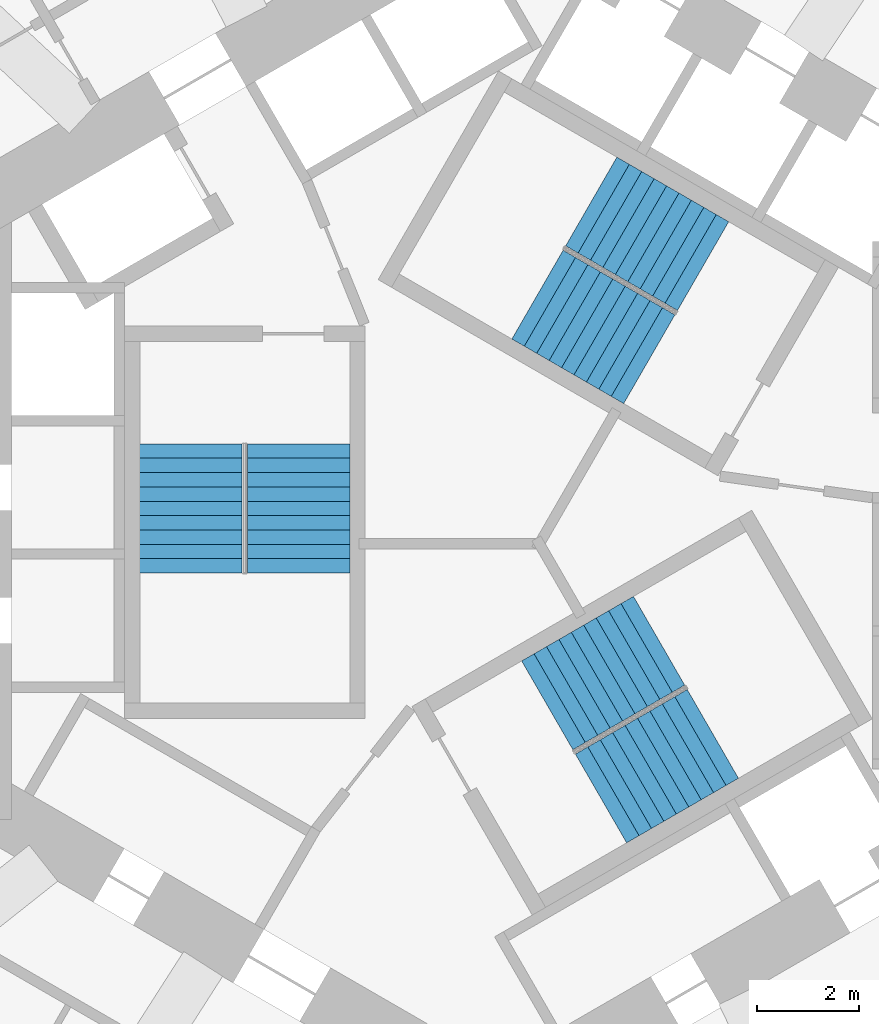
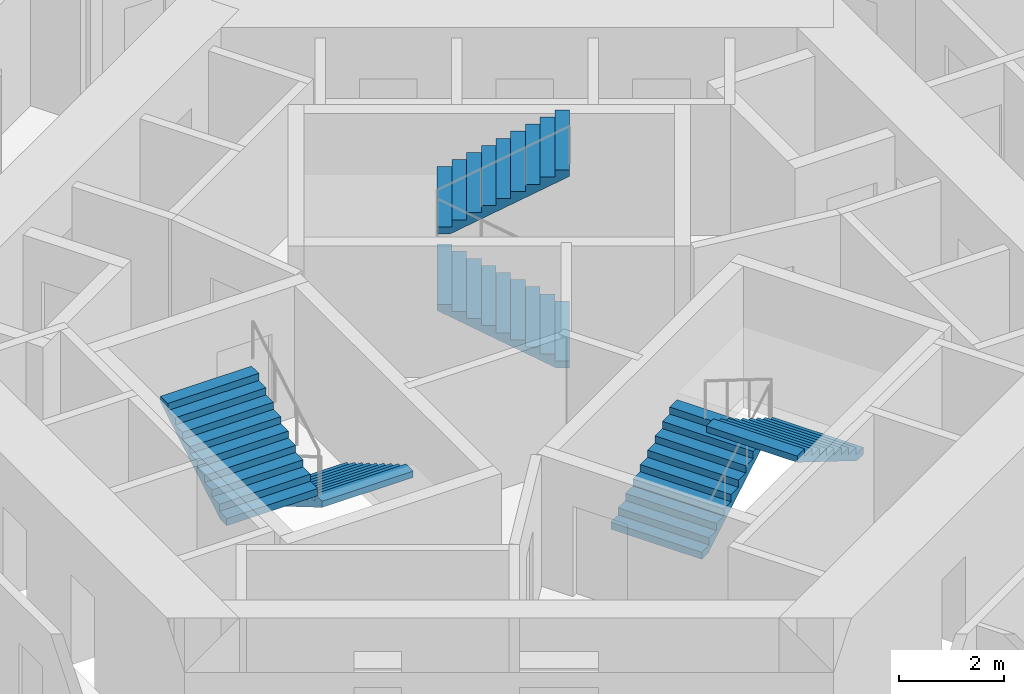
# One storey, part 10 of 12: 6 stair flights, 3 elements without a shape of their own.
"""IFC4 building model written with IfcOpenShell, lengths in metres."""

from ifc_helpers import new_model, si_unit, direction, frame, origin, place, context, subcontext, project, spatial, triangles, source, transform, mapped, material, type_object, element, aggregate, save


model = new_model("IFC4")

# Units and contexts
model_context = context("Model", 3, precision=1e-05, world=origin(), true_north=direction((0.0, 1.0)))
body_context = subcontext(model_context, "Body", "Model", "MODEL_VIEW")
ifc_project = project(units=[si_unit("LENGTHUNIT", "METRE"), si_unit("AREAUNIT", "SQUARE_METRE"), si_unit("VOLUMEUNIT", "CUBIC_METRE"), si_unit("PLANEANGLEUNIT", "RADIAN"), si_unit("MASSUNIT", "GRAM", prefix="KILO")], contexts=[model_context])

# Site, building, storey
site_placement = place(None, origin())
site = spatial("IfcSite", under=ifc_project, at=site_placement, CompositionType="ELEMENT")
building_placement = place(site_placement, origin())
building = spatial("IfcBuilding", under=site, at=building_placement, Name="Vanh Sen Convention Tower", CompositionType="ELEMENT")
storey_placement = place(building_placement, frame((0.0, 0.0, 63.800048828125)))
storey = spatial("IfcBuildingStorey", under=building, at=storey_placement, Name="L13", CompositionType="ELEMENT", Elevation=63.800048828125)

# Stair, stair flights
ifc_material_1 = material(Name="Concrete C50/60", Category="concrete")
stair_type_1 = type_object("IfcStairType", Name="Exit stair ST1 20 risers at 165.0", PredefinedType="HALF_TURN_STAIR", material=ifc_material_1)
stair_1_placement = place(storey_placement, origin())
stair_1 = element("IfcStair", 1, at=stair_1_placement, inside=storey, type_object=stair_type_1, Name="Exit stair ST1 L13", PredefinedType="HALF_TURN_STAIR")
ifc_material_2 = material(Name="Concrete C40/50", Category="concrete")
stair_flight_type = type_object("IfcStairFlightType", Name="Stair flight 2000", PredefinedType="STRAIGHT", material=ifc_material_2)
shared_shape = source(origin(), body_context, "Body", "Tessellation", [
    triangles([(0.24609375, 1.0, 0.0), (0.0, 1.0, 0.0), (0.0, 1.0, 0.1650390625), (0.280029296875, 1.0, 0.1650390625), (0.280029296875, 1.0, 0.330078125), (0.56005859375, 1.0, 0.330078125), (0.56005859375, 1.0, 0.4951171875), (0.840087890625, 1.0, 0.4951171875), (0.840087890625, 1.0, 0.659912109375), (1.1201171875, 1.0, 0.659912109375), (1.1201171875, 1.0, 0.824951171875), (1.39990234375, 1.0, 0.824951171875), (1.39990234375, 1.0, 0.989990234375), (1.679931640625, 1.0, 0.989990234375), (1.679931640625, 1.0, 1.155029296875), (1.9599609375, 1.0, 1.155029296875), (1.9599609375, 1.0, 1.320068359375), (2.239990234375, 1.0, 1.320068359375), (2.239990234375, 1.0, 1.485107421875), (2.52001953125, 1.0, 1.485107421875), (2.52001953125, 1.0, 1.33984375), (0.24609375, -1.0, 0.0), (0.0, -1.0, 0.0), (0.0, -1.0, 0.1650390625), (0.280029296875, -1.0, 0.1650390625), (0.280029296875, -1.0, 0.330078125), (0.56005859375, -1.0, 0.330078125), (0.56005859375, -1.0, 0.4951171875), (0.840087890625, -1.0, 0.4951171875), (0.840087890625, -1.0, 0.659912109375), (1.1201171875, -1.0, 0.659912109375), (1.1201171875, -1.0, 0.824951171875), (1.39990234375, -1.0, 0.824951171875), (1.39990234375, -1.0, 0.989990234375), (1.679931640625, -1.0, 0.989990234375), (1.679931640625, -1.0, 1.155029296875), (1.9599609375, -1.0, 1.155029296875), (1.9599609375, -1.0, 1.320068359375), (2.239990234375, -1.0, 1.320068359375), (2.239990234375, -1.0, 1.485107421875), (2.52001953125, -1.0, 1.485107421875), (2.52001953125, -1.0, 1.33984375), (0.0, 0.0400390625, 0.0), (0.0, 0.0390625, 0.0), (0.0, 0.0380859375, 0.0), (0.0, 0.037109375, 0.0), (0.0, 0.035888671875, 0.0), (0.0, 0.034912109375, 0.0), (0.0, 0.033935546875, 0.0), (0.0, 0.032958984375, 0.0), (0.0, 0.031982421875, 0.0), (0.0, 0.031005859375, 0.0), (0.0, 0.030029296875, 0.0), (0.0, 0.029052734375, 0.0), (0.0, 0.028076171875, 0.0), (0.0, 0.027099609375, 0.0), (0.0, 0.02587890625, 0.0), (0.0, 0.02490234375, 0.0), (0.0, 0.02392578125, 0.0), (0.0, 0.02294921875, 0.0), (0.0, 0.02197265625, 0.0), (0.0, 0.02099609375, 0.0), (0.0, 0.02001953125, 0.0), (0.0, 0.01904296875, 0.0), (0.0, 0.01806640625, 0.0), (0.0, 0.01708984375, 0.0), (0.0, 0.01611328125, 0.0), (0.0, 0.014892578125, 0.0), (0.0, 0.013916015625, 0.0), (0.0, 0.012939453125, 0.0), (0.0, 0.011962890625, 0.0), (0.0, 0.010986328125, 0.0), (0.0, 0.010009765625, 0.0), (0.0, 0.009033203125, 0.0), (0.0, 0.008056640625, 0.0), (0.0, 0.007080078125, 0.0), (0.0, 0.006103515625, 0.0), (0.0, 0.0048828125, 0.0), (0.0, 0.00390625, 0.0), (0.0, 0.0029296875, 0.0), (0.0, 0.001953125, 0.0), (0.0, 0.0009765625, 0.0), (0.0, 0.0, 0.0), (0.0, -0.0009765625, 0.0), (0.0, -0.001953125, 0.0), (0.0, -0.0029296875, 0.0), (0.0, -0.00390625, 0.0), (0.0, -0.0048828125, 0.0), (0.0, -0.006103515625, 0.0), (0.0, -0.007080078125, 0.0), (0.0, -0.008056640625, 0.0), (0.0, -0.009033203125, 0.0), (0.0, -0.010009765625, 0.0), (0.0, -0.010986328125, 0.0), (0.0, -0.011962890625, 0.0), (0.0, -0.012939453125, 0.0), (0.0, -0.013916015625, 0.0), (0.0, -0.014892578125, 0.0), (0.0, -0.01611328125, 0.0), (0.0, -0.01708984375, 0.0), (0.0, -0.01806640625, 0.0), (0.0, -0.01904296875, 0.0), (0.0, -0.02001953125, 0.0), (0.0, -0.02099609375, 0.0), (0.0, -0.02197265625, 0.0), (0.0, -0.02294921875, 0.0), (0.0, -0.02392578125, 0.0), (0.0, -0.02490234375, 0.0), (0.0, -0.02587890625, 0.0), (0.0, -0.027099609375, 0.0), (0.0, -0.028076171875, 0.0), (0.0, -0.029052734375, 0.0), (0.0, -0.030029296875, 0.0), (0.0, -0.031005859375, 0.0), (0.0, -0.031982421875, 0.0), (0.0, -0.032958984375, 0.0), (0.0, -0.033935546875, 0.0), (0.0, -0.034912109375, 0.0), (0.0, -0.035888671875, 0.0), (0.0, -0.037109375, 0.0), (0.0, -0.0380859375, 0.0), (0.0, -0.0390625, 0.0), (0.0, -0.0400390625, 0.0), (0.0, 0.0400390625, 0.1650390625), (0.0, 0.0390625, 0.1650390625), (0.0, 0.0380859375, 0.1650390625), (0.0, 0.037109375, 0.1650390625), (0.0, 0.035888671875, 0.1650390625), (0.0, 0.034912109375, 0.1650390625), (0.0, 0.033935546875, 0.1650390625), (0.0, 0.032958984375, 0.1650390625), (0.0, 0.031982421875, 0.1650390625), (0.0, 0.031005859375, 0.1650390625), (0.0, 0.030029296875, 0.1650390625), (0.0, 0.029052734375, 0.1650390625), (0.0, 0.028076171875, 0.1650390625), (0.0, 0.027099609375, 0.1650390625), (0.0, 0.02587890625, 0.1650390625), (0.0, 0.02490234375, 0.1650390625), (0.0, 0.02392578125, 0.1650390625), (0.0, 0.02294921875, 0.1650390625), (0.0, 0.02197265625, 0.1650390625), (0.0, 0.02099609375, 0.1650390625), (0.0, 0.02001953125, 0.1650390625), (0.0, 0.01904296875, 0.1650390625), (0.0, 0.01806640625, 0.1650390625), (0.0, 0.01708984375, 0.1650390625), (0.0, 0.01611328125, 0.1650390625), (0.0, 0.014892578125, 0.1650390625), (0.0, 0.013916015625, 0.1650390625), (0.0, 0.012939453125, 0.1650390625), (0.0, 0.011962890625, 0.1650390625), (0.0, 0.010986328125, 0.1650390625), (0.0, 0.010009765625, 0.1650390625), (0.0, 0.009033203125, 0.1650390625), (0.0, 0.008056640625, 0.1650390625), (0.0, 0.007080078125, 0.1650390625), (0.0, 0.006103515625, 0.1650390625), (0.0, 0.0048828125, 0.1650390625), (0.0, 0.00390625, 0.1650390625), (0.0, 0.0029296875, 0.1650390625), (0.0, 0.001953125, 0.1650390625), (0.0, 0.0009765625, 0.1650390625), (0.0, 0.0, 0.1650390625), (0.0, -0.0009765625, 0.1650390625), (0.0, -0.001953125, 0.1650390625), (0.0, -0.0029296875, 0.1650390625), (0.0, -0.00390625, 0.1650390625), (0.0, -0.0048828125, 0.1650390625), (0.0, -0.006103515625, 0.1650390625), (0.0, -0.007080078125, 0.1650390625), (0.0, -0.008056640625, 0.1650390625), (0.0, -0.009033203125, 0.1650390625), (0.0, -0.010009765625, 0.1650390625), (0.0, -0.010986328125, 0.1650390625), (0.0, -0.011962890625, 0.1650390625), (0.0, -0.012939453125, 0.1650390625), (0.0, -0.013916015625, 0.1650390625), (0.0, -0.014892578125, 0.1650390625), (0.0, -0.01611328125, 0.1650390625), (0.0, -0.01708984375, 0.1650390625), (0.0, -0.01806640625, 0.1650390625), (0.0, -0.01904296875, 0.1650390625), (0.0, -0.02001953125, 0.1650390625), (0.0, -0.02099609375, 0.1650390625), (0.0, -0.02197265625, 0.1650390625), (0.0, -0.02294921875, 0.1650390625), (0.0, -0.02392578125, 0.1650390625), (0.0, -0.02490234375, 0.1650390625), (0.0, -0.02587890625, 0.1650390625), (0.0, -0.027099609375, 0.1650390625), (0.0, -0.028076171875, 0.1650390625), (0.0, -0.029052734375, 0.1650390625), (0.0, -0.030029296875, 0.1650390625), (0.0, -0.031005859375, 0.1650390625), (0.0, -0.031982421875, 0.1650390625), (0.0, -0.032958984375, 0.1650390625), (0.0, -0.033935546875, 0.1650390625), (0.0, -0.034912109375, 0.1650390625), (0.0, -0.035888671875, 0.1650390625), (0.0, -0.037109375, 0.1650390625), (0.0, -0.0380859375, 0.1650390625), (0.0, -0.0390625, 0.1650390625), (0.0, -0.0400390625, 0.1650390625), (0.280029296875, 0.0, 0.1650390625), (0.280029296875, 0.0, 0.330078125), (0.56005859375, 0.0, 0.330078125), (0.56005859375, 0.0, 0.4951171875), (0.840087890625, 0.0, 0.4951171875), (0.840087890625, 0.0, 0.659912109375), (1.1201171875, 0.0, 0.659912109375), (1.1201171875, 0.0, 0.824951171875), (1.39990234375, 0.0, 0.824951171875), (1.39990234375, 0.0, 0.989990234375), (1.679931640625, 0.0, 0.989990234375), (1.679931640625, 0.0, 1.155029296875), (1.9599609375, 0.0, 1.155029296875), (1.9599609375, 0.0, 1.320068359375), (2.239990234375, 0.0, 1.320068359375), (2.239990234375, 0.0, 1.485107421875), (2.52001953125, 0.0400390625, 1.485107421875), (2.52001953125, 0.0390625, 1.485107421875), (2.52001953125, 0.0380859375, 1.485107421875), (2.52001953125, 0.037109375, 1.485107421875), (2.52001953125, 0.035888671875, 1.485107421875), (2.52001953125, 0.034912109375, 1.485107421875), (2.52001953125, 0.033935546875, 1.485107421875), (2.52001953125, 0.032958984375, 1.485107421875), (2.52001953125, 0.031982421875, 1.485107421875), (2.52001953125, 0.031005859375, 1.485107421875), (2.52001953125, 0.030029296875, 1.485107421875), (2.52001953125, 0.029052734375, 1.485107421875), (2.52001953125, 0.028076171875, 1.485107421875), (2.52001953125, 0.027099609375, 1.485107421875), (2.52001953125, 0.02587890625, 1.485107421875), (2.52001953125, 0.02490234375, 1.485107421875), (2.52001953125, 0.02392578125, 1.485107421875), (2.52001953125, 0.02294921875, 1.485107421875), (2.52001953125, 0.02197265625, 1.485107421875), (2.52001953125, 0.02099609375, 1.485107421875), (2.52001953125, 0.02001953125, 1.485107421875), (2.52001953125, 0.01904296875, 1.485107421875), (2.52001953125, 0.01806640625, 1.485107421875), (2.52001953125, 0.01708984375, 1.485107421875), (2.52001953125, 0.01611328125, 1.485107421875), (2.52001953125, 0.014892578125, 1.485107421875), (2.52001953125, 0.013916015625, 1.485107421875), (2.52001953125, 0.012939453125, 1.485107421875), (2.52001953125, 0.011962890625, 1.485107421875), (2.52001953125, 0.010986328125, 1.485107421875), (2.52001953125, 0.010009765625, 1.485107421875), (2.52001953125, 0.009033203125, 1.485107421875), (2.52001953125, 0.008056640625, 1.485107421875), (2.52001953125, 0.007080078125, 1.485107421875), (2.52001953125, 0.006103515625, 1.485107421875), (2.52001953125, 0.0048828125, 1.485107421875), (2.52001953125, 0.00390625, 1.485107421875), (2.52001953125, 0.0029296875, 1.485107421875), (2.52001953125, 0.001953125, 1.485107421875), (2.52001953125, 0.0009765625, 1.485107421875), (2.52001953125, 0.0, 1.485107421875), (2.52001953125, -0.0009765625, 1.485107421875), (2.52001953125, -0.001953125, 1.485107421875), (2.52001953125, -0.0029296875, 1.485107421875), (2.52001953125, -0.00390625, 1.485107421875), (2.52001953125, -0.0048828125, 1.485107421875), (2.52001953125, -0.006103515625, 1.485107421875), (2.52001953125, -0.007080078125, 1.485107421875), (2.52001953125, -0.008056640625, 1.485107421875), (2.52001953125, -0.009033203125, 1.485107421875), (2.52001953125, -0.010009765625, 1.485107421875), (2.52001953125, -0.010986328125, 1.485107421875), (2.52001953125, -0.011962890625, 1.485107421875), (2.52001953125, -0.012939453125, 1.485107421875), (2.52001953125, -0.013916015625, 1.485107421875), (2.52001953125, -0.014892578125, 1.485107421875), (2.52001953125, -0.01611328125, 1.485107421875), (2.52001953125, -0.01708984375, 1.485107421875), (2.52001953125, -0.01806640625, 1.485107421875), (2.52001953125, -0.01904296875, 1.485107421875), (2.52001953125, -0.02001953125, 1.485107421875), (2.52001953125, -0.02099609375, 1.485107421875), (2.52001953125, -0.02197265625, 1.485107421875), (2.52001953125, -0.02294921875, 1.485107421875), (2.52001953125, -0.02392578125, 1.485107421875), (2.52001953125, -0.02490234375, 1.485107421875), (2.52001953125, -0.02587890625, 1.485107421875), (2.52001953125, -0.027099609375, 1.485107421875), (2.52001953125, -0.028076171875, 1.485107421875), (2.52001953125, -0.029052734375, 1.485107421875), (2.52001953125, -0.030029296875, 1.485107421875), (2.52001953125, -0.031005859375, 1.485107421875), (2.52001953125, -0.031982421875, 1.485107421875), (2.52001953125, -0.032958984375, 1.485107421875), (2.52001953125, -0.033935546875, 1.485107421875), (2.52001953125, -0.034912109375, 1.485107421875), (2.52001953125, -0.035888671875, 1.485107421875), (2.52001953125, -0.037109375, 1.485107421875), (2.52001953125, -0.0380859375, 1.485107421875), (2.52001953125, -0.0390625, 1.485107421875), (2.52001953125, -0.0400390625, 1.485107421875), (2.52001953125, 0.0400390625, 1.33984375), (2.52001953125, 0.0390625, 1.33984375), (2.52001953125, 0.0380859375, 1.33984375), (2.52001953125, 0.037109375, 1.33984375), (2.52001953125, 0.035888671875, 1.33984375), (2.52001953125, 0.034912109375, 1.33984375), (2.52001953125, 0.033935546875, 1.33984375), (2.52001953125, 0.032958984375, 1.33984375), (2.52001953125, 0.031982421875, 1.33984375), (2.52001953125, 0.031005859375, 1.33984375), (2.52001953125, 0.030029296875, 1.33984375), (2.52001953125, 0.029052734375, 1.33984375), (2.52001953125, 0.028076171875, 1.33984375), (2.52001953125, 0.027099609375, 1.33984375), (2.52001953125, 0.02587890625, 1.33984375), (2.52001953125, 0.02490234375, 1.33984375), (2.52001953125, 0.02392578125, 1.33984375), (2.52001953125, 0.02294921875, 1.33984375), (2.52001953125, 0.02197265625, 1.33984375), (2.52001953125, 0.02099609375, 1.33984375), (2.52001953125, 0.02001953125, 1.33984375), (2.52001953125, 0.01904296875, 1.33984375), (2.52001953125, 0.01806640625, 1.33984375), (2.52001953125, 0.01708984375, 1.33984375), (2.52001953125, 0.01611328125, 1.33984375), (2.52001953125, 0.014892578125, 1.33984375), (2.52001953125, 0.013916015625, 1.33984375), (2.52001953125, 0.012939453125, 1.33984375), (2.52001953125, 0.011962890625, 1.33984375), (2.52001953125, 0.010986328125, 1.33984375), (2.52001953125, 0.010009765625, 1.33984375), (2.52001953125, 0.009033203125, 1.33984375), (2.52001953125, 0.008056640625, 1.33984375), (2.52001953125, 0.007080078125, 1.33984375), (2.52001953125, 0.006103515625, 1.33984375), (2.52001953125, 0.0048828125, 1.33984375), (2.52001953125, 0.00390625, 1.33984375), (2.52001953125, 0.0029296875, 1.33984375), (2.52001953125, 0.001953125, 1.33984375), (2.52001953125, 0.0009765625, 1.33984375), (2.52001953125, 0.0, 1.33984375), (2.52001953125, -0.0009765625, 1.33984375), (2.52001953125, -0.001953125, 1.33984375), (2.52001953125, -0.0029296875, 1.33984375), (2.52001953125, -0.00390625, 1.33984375), (2.52001953125, -0.0048828125, 1.33984375), (2.52001953125, -0.006103515625, 1.33984375), (2.52001953125, -0.007080078125, 1.33984375), (2.52001953125, -0.008056640625, 1.33984375), (2.52001953125, -0.009033203125, 1.33984375), (2.52001953125, -0.010009765625, 1.33984375), (2.52001953125, -0.010986328125, 1.33984375), (2.52001953125, -0.011962890625, 1.33984375), (2.52001953125, -0.012939453125, 1.33984375), (2.52001953125, -0.013916015625, 1.33984375), (2.52001953125, -0.014892578125, 1.33984375), (2.52001953125, -0.01611328125, 1.33984375), (2.52001953125, -0.01708984375, 1.33984375), (2.52001953125, -0.01806640625, 1.33984375), (2.52001953125, -0.01904296875, 1.33984375), (2.52001953125, -0.02001953125, 1.33984375), (2.52001953125, -0.02099609375, 1.33984375), (2.52001953125, -0.02197265625, 1.33984375), (2.52001953125, -0.02294921875, 1.33984375), (2.52001953125, -0.02392578125, 1.33984375), (2.52001953125, -0.02490234375, 1.33984375), (2.52001953125, -0.02587890625, 1.33984375), (2.52001953125, -0.027099609375, 1.33984375), (2.52001953125, -0.028076171875, 1.33984375), (2.52001953125, -0.029052734375, 1.33984375), (2.52001953125, -0.030029296875, 1.33984375), (2.52001953125, -0.031005859375, 1.33984375), (2.52001953125, -0.031982421875, 1.33984375), (2.52001953125, -0.032958984375, 1.33984375), (2.52001953125, -0.033935546875, 1.33984375), (2.52001953125, -0.034912109375, 1.33984375), (2.52001953125, -0.035888671875, 1.33984375), (2.52001953125, -0.037109375, 1.33984375), (2.52001953125, -0.0380859375, 1.33984375), (2.52001953125, -0.0390625, 1.33984375), (2.52001953125, -0.0400390625, 1.33984375), (0.24609375, 0.0, 0.0)], [[1, 2, 3], [1, 3, 4], [4, 5, 6], [1, 4, 6], [6, 7, 8], [1, 6, 8], [8, 9, 10], [1, 8, 10], [10, 11, 12], [1, 10, 12], [12, 13, 14], [1, 12, 14], [14, 15, 16], [1, 14, 16], [16, 17, 18], [1, 16, 18], [18, 19, 20], [1, 18, 20], [20, 21, 1], [22, 24, 23], [22, 25, 24], [25, 27, 26], [22, 27, 25], [27, 29, 28], [22, 29, 27], [29, 31, 30], [22, 31, 29], [31, 33, 32], [22, 33, 31], [33, 35, 34], [22, 35, 33], [35, 37, 36], [22, 37, 35], [37, 39, 38], [22, 39, 37], [39, 41, 40], [22, 41, 39], [41, 22, 42], [2, 124, 3], [2, 43, 124], [43, 125, 124], [43, 44, 125], [44, 126, 125], [44, 45, 126], [45, 127, 126], [45, 46, 127], [46, 128, 127], [46, 47, 128], [47, 129, 128], [47, 48, 129], [48, 130, 129], [48, 49, 130], [49, 131, 130], [49, 50, 131], [50, 132, 131], [50, 51, 132], [51, 133, 132], [51, 52, 133], [52, 134, 133], [52, 53, 134], [53, 135, 134], [53, 54, 135], [54, 136, 135], [54, 55, 136], [55, 137, 136], [55, 56, 137], [56, 138, 137], [56, 57, 138], [57, 139, 138], [57, 58, 139], [58, 140, 139], [58, 59, 140], [59, 141, 140], [59, 60, 141], [60, 142, 141], [60, 61, 142], [61, 143, 142], [61, 62, 143], [62, 144, 143], [62, 63, 144], [63, 145, 144], [63, 64, 145], [64, 146, 145], [64, 65, 146], [65, 147, 146], [65, 66, 147], [66, 148, 147], [66, 67, 148], [67, 149, 148], [67, 68, 149], [68, 150, 149], [68, 69, 150], [69, 151, 150], [69, 70, 151], [70, 152, 151], [70, 71, 152], [71, 153, 152], [71, 72, 153], [72, 154, 153], [72, 73, 154], [73, 155, 154], [73, 74, 155], [74, 156, 155], [74, 75, 156], [75, 157, 156], [75, 76, 157], [76, 158, 157], [76, 77, 158], [77, 159, 158], [77, 78, 159], [78, 160, 159], [78, 79, 160], [79, 161, 160], [79, 80, 161], [80, 162, 161], [80, 81, 162], [81, 163, 162], [81, 82, 163], [82, 164, 163], [82, 83, 164], [83, 84, 164], [164, 84, 165], [84, 85, 165], [165, 85, 166], [85, 86, 166], [166, 86, 167], [86, 87, 167], [167, 87, 168], [87, 88, 168], [168, 88, 169], [88, 89, 169], [169, 89, 170], [89, 90, 170], [170, 90, 171], [90, 91, 171], [171, 91, 172], [91, 92, 172], [172, 92, 173], [92, 93, 173], [173, 93, 174], [93, 94, 174], [174, 94, 175], [94, 95, 175], [175, 95, 176], [95, 96, 176], [176, 96, 177], [96, 97, 177], [177, 97, 178], [97, 98, 178], [178, 98, 179], [98, 99, 179], [179, 99, 180], [99, 100, 180], [180, 100, 181], [100, 101, 181], [181, 101, 182], [101, 102, 182], [182, 102, 183], [102, 103, 183], [183, 103, 184], [103, 104, 184], [184, 104, 185], [104, 105, 185], [185, 105, 186], [105, 106, 186], [186, 106, 187], [106, 107, 187], [187, 107, 188], [107, 108, 188], [188, 108, 189], [108, 109, 189], [189, 109, 190], [109, 110, 190], [190, 110, 191], [110, 111, 191], [191, 111, 192], [111, 112, 192], [192, 112, 193], [112, 113, 193], [193, 113, 194], [113, 114, 194], [194, 114, 195], [114, 115, 195], [195, 115, 196], [115, 116, 196], [196, 116, 197], [116, 117, 197], [197, 117, 198], [117, 118, 198], [198, 118, 199], [118, 119, 199], [199, 119, 200], [119, 120, 200], [200, 120, 201], [120, 121, 201], [201, 121, 202], [121, 122, 202], [202, 122, 203], [122, 123, 203], [203, 123, 204], [123, 23, 204], [204, 23, 24], [4, 3, 124], [4, 124, 125], [4, 125, 126], [4, 126, 127], [4, 127, 128], [4, 128, 129], [4, 129, 130], [4, 130, 131], [4, 131, 132], [4, 132, 133], [4, 133, 134], [4, 134, 135], [4, 135, 136], [4, 136, 137], [4, 137, 138], [4, 138, 139], [4, 139, 140], [4, 140, 141], [4, 141, 142], [4, 142, 143], [4, 143, 144], [4, 144, 145], [4, 145, 146], [4, 146, 147], [4, 147, 148], [4, 148, 149], [4, 149, 150], [4, 150, 151], [4, 151, 152], [4, 152, 153], [4, 153, 154], [4, 154, 155], [4, 155, 156], [4, 156, 157], [4, 157, 158], [4, 158, 159], [4, 159, 160], [4, 160, 161], [4, 161, 162], [4, 162, 163], [4, 163, 164], [25, 164, 165], [25, 165, 166], [25, 166, 167], [25, 167, 168], [25, 168, 169], [25, 169, 170], [25, 170, 171], [25, 171, 172], [25, 172, 173], [25, 173, 174], [25, 174, 175], [25, 175, 176], [25, 176, 177], [25, 177, 178], [25, 178, 179], [25, 179, 180], [25, 180, 181], [25, 181, 182], [25, 182, 183], [25, 183, 184], [25, 184, 185], [25, 185, 186], [25, 186, 187], [25, 187, 188], [25, 188, 189], [25, 189, 190], [25, 190, 191], [25, 191, 192], [25, 192, 193], [25, 193, 194], [25, 194, 195], [25, 195, 196], [25, 196, 197], [25, 197, 198], [25, 198, 199], [25, 199, 200], [25, 200, 201], [25, 201, 202], [25, 202, 203], [25, 203, 204], [25, 204, 24], [4, 164, 205], [25, 205, 164], [4, 206, 5], [4, 205, 206], [205, 25, 206], [206, 25, 26], [5, 207, 6], [5, 206, 207], [206, 26, 207], [207, 26, 27], [6, 208, 7], [6, 207, 208], [207, 27, 208], [208, 27, 28], [7, 209, 8], [7, 208, 209], [208, 28, 209], [209, 28, 29], [8, 210, 9], [8, 209, 210], [209, 29, 210], [210, 29, 30], [9, 211, 10], [9, 210, 211], [210, 30, 211], [211, 30, 31], [10, 212, 11], [10, 211, 212], [211, 31, 212], [212, 31, 32], [11, 213, 12], [11, 212, 213], [212, 32, 213], [213, 32, 33], [12, 214, 13], [12, 213, 214], [213, 33, 214], [214, 33, 34], [13, 215, 14], [13, 214, 215], [214, 34, 215], [215, 34, 35], [14, 216, 15], [14, 215, 216], [215, 35, 216], [216, 35, 36], [15, 217, 16], [15, 216, 217], [216, 36, 217], [217, 36, 37], [16, 218, 17], [16, 217, 218], [217, 37, 218], [218, 37, 38], [17, 219, 18], [17, 218, 219], [218, 38, 219], [219, 38, 39], [18, 220, 19], [18, 219, 220], [219, 39, 220], [220, 39, 40], [19, 221, 20], [19, 222, 221], [19, 223, 222], [19, 224, 223], [19, 225, 224], [19, 226, 225], [19, 227, 226], [19, 228, 227], [19, 229, 228], [19, 230, 229], [19, 231, 230], [19, 232, 231], [19, 233, 232], [19, 234, 233], [19, 235, 234], [19, 236, 235], [19, 237, 236], [19, 238, 237], [19, 239, 238], [19, 240, 239], [19, 241, 240], [19, 242, 241], [19, 243, 242], [19, 244, 243], [19, 245, 244], [19, 246, 245], [19, 247, 246], [19, 248, 247], [19, 249, 248], [19, 250, 249], [19, 251, 250], [19, 252, 251], [19, 253, 252], [19, 254, 253], [19, 255, 254], [19, 256, 255], [19, 257, 256], [19, 258, 257], [19, 259, 258], [19, 260, 259], [19, 261, 260], [40, 262, 261], [40, 263, 262], [40, 264, 263], [40, 265, 264], [40, 266, 265], [40, 267, 266], [40, 268, 267], [40, 269, 268], [40, 270, 269], [40, 271, 270], [40, 272, 271], [40, 273, 272], [40, 274, 273], [40, 275, 274], [40, 276, 275], [40, 277, 276], [40, 278, 277], [40, 279, 278], [40, 280, 279], [40, 281, 280], [40, 282, 281], [40, 283, 282], [40, 284, 283], [40, 285, 284], [40, 286, 285], [40, 287, 286], [40, 288, 287], [40, 289, 288], [40, 290, 289], [40, 291, 290], [40, 292, 291], [40, 293, 292], [40, 294, 293], [40, 295, 294], [40, 296, 295], [40, 297, 296], [40, 298, 297], [40, 299, 298], [40, 300, 299], [40, 301, 300], [40, 41, 301], [19, 220, 261], [40, 261, 220], [20, 302, 21], [20, 221, 302], [221, 303, 302], [221, 222, 303], [222, 304, 303], [222, 223, 304], [223, 305, 304], [223, 224, 305], [224, 306, 305], [224, 225, 306], [225, 307, 306], [225, 226, 307], [226, 308, 307], [226, 227, 308], [227, 309, 308], [227, 228, 309], [228, 310, 309], [228, 229, 310], [229, 311, 310], [229, 230, 311], [230, 312, 311], [230, 231, 312], [231, 313, 312], [231, 232, 313], [232, 314, 313], [232, 233, 314], [233, 315, 314], [233, 234, 315], [234, 316, 315], [234, 235, 316], [235, 317, 316], [235, 236, 317], [236, 318, 317], [236, 237, 318], [237, 319, 318], [237, 238, 319], [238, 320, 319], [238, 239, 320], [239, 321, 320], [239, 240, 321], [240, 322, 321], [240, 241, 322], [241, 323, 322], [241, 242, 323], [242, 324, 323], [242, 243, 324], [243, 325, 324], [243, 244, 325], [244, 326, 325], [244, 245, 326], [245, 327, 326], [245, 246, 327], [246, 328, 327], [246, 247, 328], [247, 329, 328], [247, 248, 329], [248, 330, 329], [248, 249, 330], [249, 331, 330], [249, 250, 331], [250, 332, 331], [250, 251, 332], [251, 333, 332], [251, 252, 333], [252, 334, 333], [252, 253, 334], [253, 335, 334], [253, 254, 335], [254, 336, 335], [254, 255, 336], [255, 337, 336], [255, 256, 337], [256, 338, 337], [256, 257, 338], [257, 339, 338], [257, 258, 339], [258, 340, 339], [258, 259, 340], [259, 341, 340], [259, 260, 341], [260, 342, 341], [260, 261, 342], [261, 262, 342], [342, 262, 343], [262, 263, 343], [343, 263, 344], [263, 264, 344], [344, 264, 345], [264, 265, 345], [345, 265, 346], [265, 266, 346], [346, 266, 347], [266, 267, 347], [347, 267, 348], [267, 268, 348], [348, 268, 349], [268, 269, 349], [349, 269, 350], [269, 270, 350], [350, 270, 351], [270, 271, 351], [351, 271, 352], [271, 272, 352], [352, 272, 353], [272, 273, 353], [353, 273, 354], [273, 274, 354], [354, 274, 355], [274, 275, 355], [355, 275, 356], [275, 276, 356], [356, 276, 357], [276, 277, 357], [357, 277, 358], [277, 278, 358], [358, 278, 359], [278, 279, 359], [359, 279, 360], [279, 280, 360], [360, 280, 361], [280, 281, 361], [361, 281, 362], [281, 282, 362], [362, 282, 363], [282, 283, 363], [363, 283, 364], [283, 284, 364], [364, 284, 365], [284, 285, 365], [365, 285, 366], [285, 286, 366], [366, 286, 367], [286, 287, 367], [367, 287, 368], [287, 288, 368], [368, 288, 369], [288, 289, 369], [369, 289, 370], [289, 290, 370], [370, 290, 371], [290, 291, 371], [371, 291, 372], [291, 292, 372], [372, 292, 373], [292, 293, 373], [373, 293, 374], [293, 294, 374], [374, 294, 375], [294, 295, 375], [375, 295, 376], [295, 296, 376], [376, 296, 377], [296, 297, 377], [377, 297, 378], [297, 298, 378], [378, 298, 379], [298, 299, 379], [379, 299, 380], [299, 300, 380], [380, 300, 381], [300, 301, 381], [381, 301, 382], [301, 41, 382], [382, 41, 42], [1, 21, 302], [1, 302, 303], [1, 303, 304], [1, 304, 305], [1, 305, 306], [1, 306, 307], [1, 307, 308], [1, 308, 309], [1, 309, 310], [1, 310, 311], [1, 311, 312], [1, 312, 313], [1, 313, 314], [1, 314, 315], [1, 315, 316], [1, 316, 317], [1, 317, 318], [1, 318, 319], [1, 319, 320], [1, 320, 321], [1, 321, 322], [1, 322, 323], [1, 323, 324], [1, 324, 325], [1, 325, 326], [1, 326, 327], [1, 327, 328], [1, 328, 329], [1, 329, 330], [1, 330, 331], [1, 331, 332], [1, 332, 333], [1, 333, 334], [1, 334, 335], [1, 335, 336], [1, 336, 337], [1, 337, 338], [1, 338, 339], [1, 339, 340], [1, 340, 341], [1, 341, 342], [22, 342, 343], [22, 343, 344], [22, 344, 345], [22, 345, 346], [22, 346, 347], [22, 347, 348], [22, 348, 349], [22, 349, 350], [22, 350, 351], [22, 351, 352], [22, 352, 353], [22, 353, 354], [22, 354, 355], [22, 355, 356], [22, 356, 357], [22, 357, 358], [22, 358, 359], [22, 359, 360], [22, 360, 361], [22, 361, 362], [22, 362, 363], [22, 363, 364], [22, 364, 365], [22, 365, 366], [22, 366, 367], [22, 367, 368], [22, 368, 369], [22, 369, 370], [22, 370, 371], [22, 371, 372], [22, 372, 373], [22, 373, 374], [22, 374, 375], [22, 375, 376], [22, 376, 377], [22, 377, 378], [22, 378, 379], [22, 379, 380], [22, 380, 381], [22, 381, 382], [22, 382, 42], [1, 342, 383], [22, 383, 342], [1, 43, 2], [1, 44, 43], [1, 45, 44], [1, 46, 45], [1, 47, 46], [1, 48, 47], [1, 49, 48], [1, 50, 49], [1, 51, 50], [1, 52, 51], [1, 53, 52], [1, 54, 53], [1, 55, 54], [1, 56, 55], [1, 57, 56], [1, 58, 57], [1, 59, 58], [1, 60, 59], [1, 61, 60], [1, 62, 61], [1, 63, 62], [1, 64, 63], [1, 65, 64], [1, 66, 65], [1, 67, 66], [1, 68, 67], [1, 69, 68], [1, 70, 69], [1, 71, 70], [1, 72, 71], [1, 73, 72], [1, 74, 73], [1, 75, 74], [1, 76, 75], [1, 77, 76], [1, 78, 77], [1, 79, 78], [1, 80, 79], [1, 81, 80], [1, 82, 81], [1, 83, 82], [22, 84, 83], [22, 85, 84], [22, 86, 85], [22, 87, 86], [22, 88, 87], [22, 89, 88], [22, 90, 89], [22, 91, 90], [22, 92, 91], [22, 93, 92], [22, 94, 93], [22, 95, 94], [22, 96, 95], [22, 97, 96], [22, 98, 97], [22, 99, 98], [22, 100, 99], [22, 101, 100], [22, 102, 101], [22, 103, 102], [22, 104, 103], [22, 105, 104], [22, 106, 105], [22, 107, 106], [22, 108, 107], [22, 109, 108], [22, 110, 109], [22, 111, 110], [22, 112, 111], [22, 113, 112], [22, 114, 113], [22, 115, 114], [22, 116, 115], [22, 117, 116], [22, 118, 117], [22, 119, 118], [22, 120, 119], [22, 121, 120], [22, 122, 121], [22, 123, 122], [22, 23, 123], [1, 383, 83], [22, 83, 383]], closed=True),
])
stair_flight_1_placement = place(storey_placement, frame((2.94580078125, 2.802490234375, 0.0), z_axis=(0.0, 0.0, 1.0), x_axis=(-0.866025403784, 0.5, 0.0)))
stair_flight_1 = element("IfcStairFlight", 2, at=stair_flight_1_placement, type_object=stair_flight_type, Name="ST1 flight 1", NumberOfRisers=10, NumberOfTreads=9, PredefinedType="STRAIGHT", RiserHeight=0.165, TreadLength=0.28, context=body_context, shape_type="MappedRepresentation", body=[
    mapped(shared_shape, transform((0.0, 0.0, 0.0))),
])
stair_flight_2_placement = place(storey_placement, frame((1.8134765625, 5.881103515625, 1.64990234375), z_axis=(0.0, 0.0, 1.0), x_axis=(0.866025403784, -0.5, 0.0)))
stair_flight_2 = element("IfcStairFlight", 3, at=stair_flight_2_placement, type_object=stair_flight_type, Name="ST1 flight 2", NumberOfRisers=10, NumberOfTreads=9, PredefinedType="STRAIGHT", RiserHeight=0.165, TreadLength=0.28, context=body_context, shape_type="MappedRepresentation", body=[
    mapped(shared_shape, transform((0.0, 0.0, 0.0))),
])
aggregate(stair_1, [stair_flight_1, stair_flight_2])

stair_type_2 = type_object("IfcStairType", Name="Exit stair ST2 20 risers at 165.0", PredefinedType="HALF_TURN_STAIR", material=ifc_material_1)
stair_2_placement = place(storey_placement, origin())
stair_2 = element("IfcStair", 4, at=stair_2_placement, inside=storey, type_object=stair_type_2, Name="Exit stair ST2 L13", PredefinedType="HALF_TURN_STAIR")
stair_flight_3_placement = place(storey_placement, frame((-3.89990234375, 1.14990234375, 0.0), z_axis=(0.0, 0.0, 1.0), x_axis=(0.0, -1.0, 0.0)))
stair_flight_3 = element("IfcStairFlight", 5, at=stair_flight_3_placement, type_object=stair_flight_type, Name="ST2 flight 1", NumberOfRisers=10, NumberOfTreads=9, PredefinedType="STRAIGHT", RiserHeight=0.165, TreadLength=0.28, context=body_context, shape_type="MappedRepresentation", body=[
    mapped(shared_shape, transform((0.0, 0.0, 0.0))),
])
stair_flight_4_placement = place(storey_placement, frame((-6.0, -1.3701171875, 1.64990234375), z_axis=(0.0, 0.0, 1.0), x_axis=(0.0, 1.0, 0.0)))
stair_flight_4 = element("IfcStairFlight", 6, at=stair_flight_4_placement, type_object=stair_flight_type, Name="ST2 flight 2", NumberOfRisers=10, NumberOfTreads=9, PredefinedType="STRAIGHT", RiserHeight=0.165, TreadLength=0.28, context=body_context, shape_type="MappedRepresentation", body=[
    mapped(shared_shape, transform((0.0, 0.0, 0.0))),
])
aggregate(stair_2, [stair_flight_3, stair_flight_4])

stair_type_3 = type_object("IfcStairType", Name="Exit stair ST3 20 risers at 165.0", PredefinedType="HALF_TURN_STAIR", material=ifc_material_1)
stair_3_placement = place(storey_placement, origin())
stair_3 = element("IfcStair", 7, at=stair_3_placement, inside=storey, type_object=stair_type_3, Name="Exit stair ST3 L13", PredefinedType="HALF_TURN_STAIR")
stair_flight_5_placement = place(storey_placement, frame((0.9541015625, -3.952392578125, 0.0), z_axis=(0.0, 0.0, 1.0), x_axis=(0.866025403784, 0.5, 0.0)))
stair_flight_5 = element("IfcStairFlight", 8, at=stair_flight_5_placement, type_object=stair_flight_type, Name="ST3 flight 1", NumberOfRisers=10, NumberOfTreads=9, PredefinedType="STRAIGHT", RiserHeight=0.165, TreadLength=0.28, context=body_context, shape_type="MappedRepresentation", body=[
    mapped(shared_shape, transform((0.0, 0.0, 0.0))),
])
stair_flight_6_placement = place(storey_placement, frame((4.1865234375, -4.51123046875, 1.64990234375), z_axis=(0.0, 0.0, 1.0), x_axis=(-0.866025403784, -0.5, 0.0)))
stair_flight_6 = element("IfcStairFlight", 9, at=stair_flight_6_placement, type_object=stair_flight_type, Name="ST3 flight 2", NumberOfRisers=10, NumberOfTreads=9, PredefinedType="STRAIGHT", RiserHeight=0.165, TreadLength=0.28, context=body_context, shape_type="MappedRepresentation", body=[
    mapped(shared_shape, transform((0.0, 0.0, 0.0))),
])
aggregate(stair_3, [stair_flight_5, stair_flight_6])

save(model, "model.ifc")
